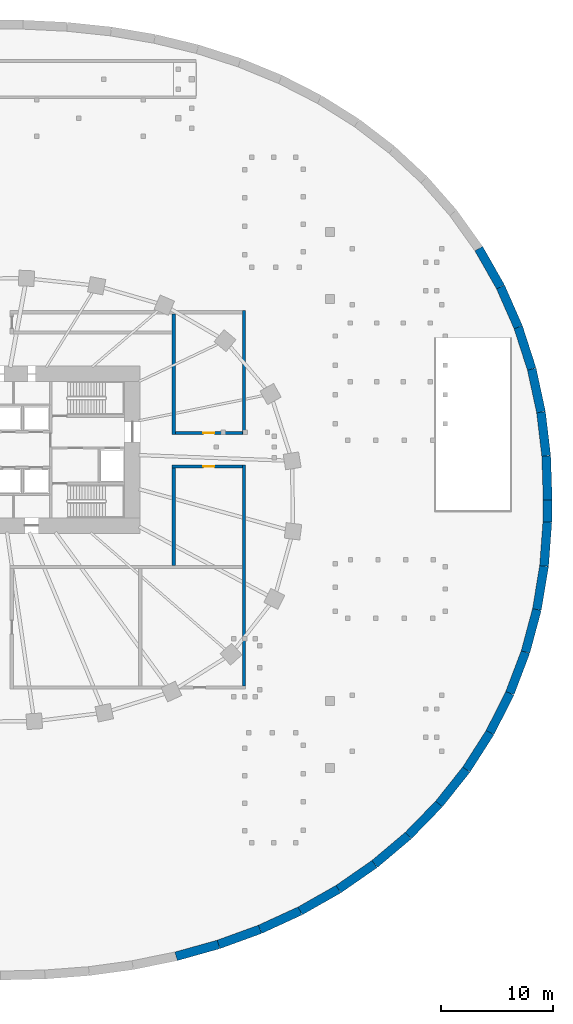
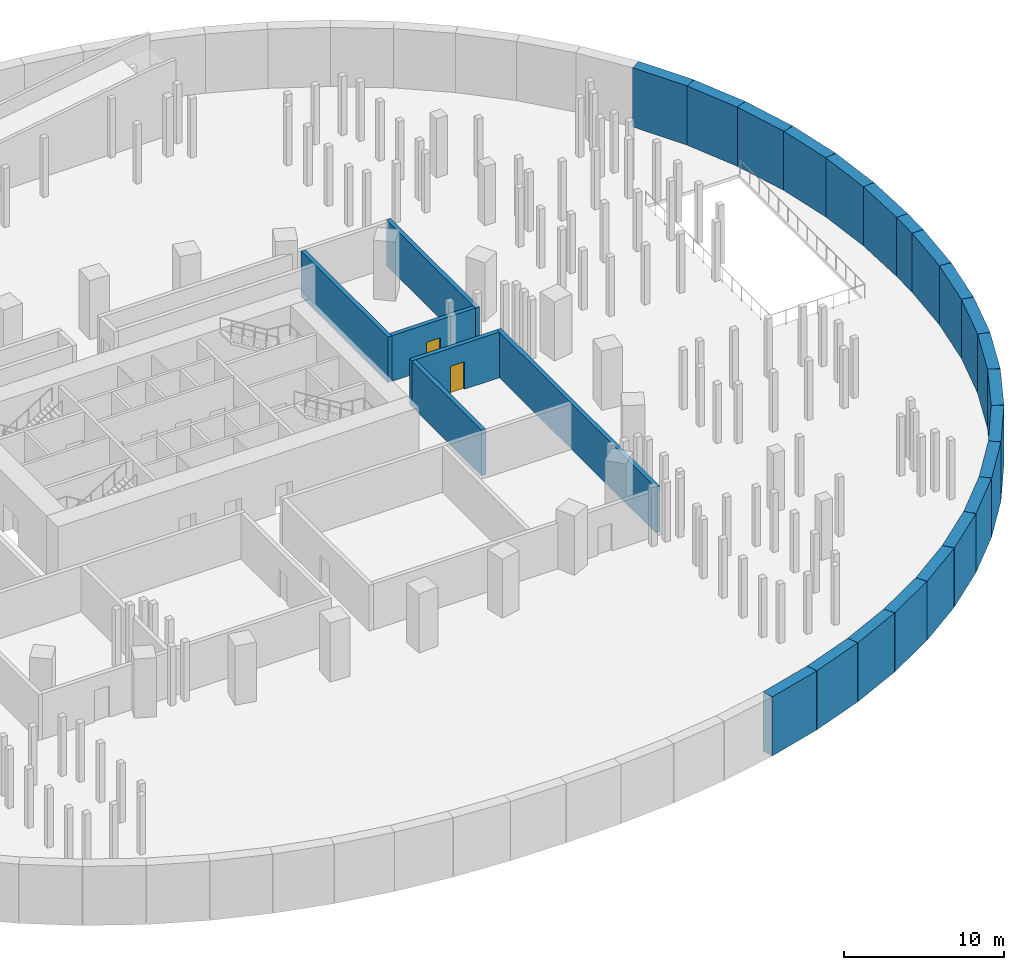
# One storey, part 6 of 9: 27 walls, 2 doors, 2 openings.
"""IFC4 building model written with IfcOpenShell, lengths in metres."""

from ifc_helpers import new_model, si_unit, direction, frame, frame_2d, origin, place, context, subcontext, project, spatial, rectangle, extrude, material, layer, layer_set, type_object, element, fill, save


model = new_model("IFC4")

# Units and contexts
model_context = context("Model", 3, precision=1e-05, world=origin(), true_north=direction((0.0, 1.0)))
body_context = subcontext(model_context, "Body", "Model", "MODEL_VIEW")
ifc_project = project(units=[si_unit("LENGTHUNIT", "METRE"), si_unit("AREAUNIT", "SQUARE_METRE"), si_unit("VOLUMEUNIT", "CUBIC_METRE"), si_unit("PLANEANGLEUNIT", "RADIAN"), si_unit("MASSUNIT", "GRAM", prefix="KILO")], contexts=[model_context])

# Site, building, storey
site_placement = place(None, origin())
site = spatial("IfcSite", under=ifc_project, at=site_placement, CompositionType="ELEMENT")
building_placement = place(site_placement, origin())
building = spatial("IfcBuilding", under=site, at=building_placement, Name="Rubra Terraces Tower", CompositionType="ELEMENT")
storey_placement = place(building_placement, frame((0.0, 0.0, -10.5)))
storey = spatial("IfcBuildingStorey", under=building, at=storey_placement, Name="B2", CompositionType="ELEMENT", Elevation=-10.5)

# Walls
ifc_material_1 = material(Name="Concrete C40", Category="concrete")
ifc_layer_1 = layer(ifc_material_1, 0.800048828125)
ifc_layer_set_1 = layer_set([ifc_layer_1], Name="Concrete C40")
wall_type_1 = type_object("IfcWallType", Name="BASEMENT WALL 800", PredefinedType="SOLIDWALL", material=ifc_layer_set_1)
wall_1_placement = place(storey_placement, frame((49.5, -0.00390625, 0.0), z_axis=(0.0, 0.0, 1.0), x_axis=(-0.01474436979, -0.999891295871, 0.0)))
element("IfcWall", 1, at=wall_1_placement, inside=storey, type_object=wall_type_1, Name="wall-B2-basement-001", PredefinedType="SOLIDWALL", context=body_context, shape_type="SweptSolid", body=[
    extrude(rectangle(XDim=1.970458984375, YDim=0.800048828125, at=frame_2d((0.9853515625, 0.0))), origin(), (0.0, 0.0, 1.0), 4.5),
])
wall_2_placement = place(storey_placement, frame((49.470947265625, -1.97412109375, 0.0), z_axis=(0.0, 0.0, 1.0), x_axis=(-0.074099136605, -0.997250880147, 0.0)))
element("IfcWall", 2, at=wall_2_placement, inside=storey, type_object=wall_type_1, Name="wall-B2-basement-002", PredefinedType="SOLIDWALL", context=body_context, shape_type="SweptSolid", body=[
    extrude(rectangle(XDim=3.953857421875, YDim=0.800048828125, at=frame_2d((1.97705078125, 0.0))), origin(), (0.0, 0.0, 1.0), 4.5),
])
wall_3_placement = place(storey_placement, frame((49.177978515625, -5.9169921875, 0.0), z_axis=(0.0, 0.0, 1.0), x_axis=(-0.163455839826, -0.986550651729, 0.0)))
element("IfcWall", 3, at=wall_3_placement, inside=storey, type_object=wall_type_1, Name="wall-B2-basement-003", PredefinedType="SOLIDWALL", context=body_context, shape_type="SweptSolid", body=[
    extrude(rectangle(XDim=3.946044921875, YDim=0.800048828125, at=frame_2d((1.97314453125, 0.0))), origin(), (0.0, 0.0, 1.0), 4.5),
])
wall_4_placement = place(storey_placement, frame((48.532958984375, -9.81005859375, 0.0), z_axis=(0.0, 0.0, 1.0), x_axis=(-0.259149694678, -0.965837168341, 0.0)))
element("IfcWall", 4, at=wall_4_placement, inside=storey, type_object=wall_type_1, Name="wall-B2-basement-004", PredefinedType="SOLIDWALL", context=body_context, shape_type="SweptSolid", body=[
    extrude(rectangle(XDim=3.943603515625, YDim=0.800048828125, at=frame_2d((1.9716796875, 0.0))), origin(), (0.0, 0.0, 1.0), 4.5),
])
wall_5_placement = place(storey_placement, frame((47.510986328125, -13.618896484375, 0.0), z_axis=(0.0, 0.0, 1.0), x_axis=(-0.355258877159, -0.93476795527, 0.0)))
element("IfcWall", 5, at=wall_5_placement, inside=storey, type_object=wall_type_1, Name="wall-B2-basement-005", PredefinedType="SOLIDWALL", context=body_context, shape_type="SweptSolid", body=[
    extrude(rectangle(XDim=3.943359375, YDim=0.800048828125, at=frame_2d((1.9716796875, 0.0))), origin(), (0.0, 0.0, 1.0), 4.5),
])
wall_6_placement = place(storey_placement, frame((46.110107421875, -17.304931640625, 0.0), z_axis=(0.0, 0.0, 1.0), x_axis=(-0.44924376219, -0.893409224339, 0.0)))
element("IfcWall", 6, at=wall_6_placement, inside=storey, type_object=wall_type_1, Name="wall-B2-basement-006", PredefinedType="SOLIDWALL", context=body_context, shape_type="SweptSolid", body=[
    extrude(rectangle(XDim=3.942138671875, YDim=0.800048828125, at=frame_2d((1.97119140625, 0.0))), origin(), (0.0, 0.0, 1.0), 4.5),
])
wall_7_placement = place(storey_placement, frame((44.339111328125, -20.826904296875, 0.0), z_axis=(0.0, 0.0, 1.0), x_axis=(-0.538906036872, -0.842365884532, 0.0)))
element("IfcWall", 7, at=wall_7_placement, inside=storey, type_object=wall_type_1, Name="wall-B2-basement-007", PredefinedType="SOLIDWALL", context=body_context, shape_type="SweptSolid", body=[
    extrude(rectangle(XDim=3.94140625, YDim=0.800048828125, at=frame_2d((1.970703125, 0.0))), origin(), (0.0, 0.0, 1.0), 4.5),
])
wall_8_placement = place(storey_placement, frame((42.215087890625, -24.14697265625, 0.0), z_axis=(0.0, 0.0, 1.0), x_axis=(-0.622154611961, -0.782894398252, 0.0)))
element("IfcWall", 8, at=wall_8_placement, inside=storey, type_object=wall_type_1, Name="wall-B2-basement-008", PredefinedType="SOLIDWALL", context=body_context, shape_type="SweptSolid", body=[
    extrude(rectangle(XDim=3.94287109375, YDim=0.800048828125, at=frame_2d((1.971435546875, 0.0))), origin(), (0.0, 0.0, 1.0), 4.5),
])
wall_9_placement = place(storey_placement, frame((39.761962890625, -27.23388671875, 0.0), z_axis=(0.0, 0.0, 1.0), x_axis=(-0.697258698396, -0.716819578074, 0.0)))
element("IfcWall", 9, at=wall_9_placement, inside=storey, type_object=wall_type_1, Name="wall-B2-basement-009", PredefinedType="SOLIDWALL", context=body_context, shape_type="SweptSolid", body=[
    extrude(rectangle(XDim=3.944091796875, YDim=0.800048828125, at=frame_2d((1.97216796875, 0.0))), origin(), (0.0, 0.0, 1.0), 4.5),
])
wall_10_placement = place(storey_placement, frame((37.011962890625, -30.06103515625, 0.0), z_axis=(0.0, 0.0, 1.0), x_axis=(-0.764050254551, -0.645156731749, 0.0)))
element("IfcWall", 10, at=wall_10_placement, inside=storey, type_object=wall_type_1, Name="wall-B2-basement-010", PredefinedType="SOLIDWALL", context=body_context, shape_type="SweptSolid", body=[
    extrude(rectangle(XDim=3.944580078125, YDim=0.800048828125, at=frame_2d((1.97216796875, 0.0))), origin(), (0.0, 0.0, 1.0), 4.5),
])
wall_11_placement = place(storey_placement, frame((33.998046875, -32.60595703125, 0.0), z_axis=(0.0, 0.0, 1.0), x_axis=(-0.821333730516, -0.570447984584, 0.0)))
element("IfcWall", 11, at=wall_11_placement, inside=storey, type_object=wall_type_1, Name="wall-B2-basement-011", PredefinedType="SOLIDWALL", context=body_context, shape_type="SweptSolid", body=[
    extrude(rectangle(XDim=3.946044921875, YDim=0.800048828125, at=frame_2d((1.97314453125, 0.0))), origin(), (0.0, 0.0, 1.0), 4.5),
])
wall_12_placement = place(storey_placement, frame((30.757080078125, -34.85693359375, 0.0), z_axis=(0.0, 0.0, 1.0), x_axis=(-0.869457764199, -0.494007283625, 0.0)))
element("IfcWall", 12, at=wall_12_placement, inside=storey, type_object=wall_type_1, Name="wall-B2-basement-012", PredefinedType="SOLIDWALL", context=body_context, shape_type="SweptSolid", body=[
    extrude(rectangle(XDim=3.94970703125, YDim=0.800048828125, at=frame_2d((1.974853515625, 0.0))), origin(), (0.0, 0.0, 1.0), 4.5),
])
wall_13_placement = place(storey_placement, frame((27.322998046875, -36.80810546875, 0.0), z_axis=(0.0, 0.0, 1.0), x_axis=(-0.908595078456, -0.417678085858, 0.0)))
element("IfcWall", 13, at=wall_13_placement, inside=storey, type_object=wall_type_1, Name="wall-B2-basement-013", PredefinedType="SOLIDWALL", context=body_context, shape_type="SweptSolid", body=[
    extrude(rectangle(XDim=3.9501953125, YDim=0.800048828125, at=frame_2d((1.97509765625, 0.0))), origin(), (0.0, 0.0, 1.0), 4.5),
])
wall_14_placement = place(storey_placement, frame((23.73388671875, -38.4580078125, 0.0), z_axis=(0.0, 0.0, 1.0), x_axis=(-0.939587666613, -0.342308364999, 0.0)))
element("IfcWall", 14, at=wall_14_placement, inside=storey, type_object=wall_type_1, Name="wall-B2-basement-014", PredefinedType="SOLIDWALL", context=body_context, shape_type="SweptSolid", body=[
    extrude(rectangle(XDim=3.95263671875, YDim=0.800048828125, at=frame_2d((1.976318359375, 0.0))), origin(), (0.0, 0.0, 1.0), 4.5),
])
wall_15_placement = place(storey_placement, frame((20.02001953125, -39.81103515625, 0.0), z_axis=(0.0, 0.0, 1.0), x_axis=(-0.962922974856, -0.26977647135, 0.0)))
element("IfcWall", 15, at=wall_15_placement, inside=storey, type_object=wall_type_1, Name="wall-B2-basement-015", PredefinedType="SOLIDWALL", context=body_context, shape_type="SweptSolid", body=[
    extrude(rectangle(XDim=3.954833984375, YDim=0.800048828125, at=frame_2d((1.9775390625, 0.0))), origin(), (0.0, 0.0, 1.0), 4.5),
])
wall_16_placement = place(storey_placement, frame((43.320068359375, 22.513916015625, 0.0), z_axis=(0.0, 0.0, 1.0), x_axis=(0.494650889592, -0.869091765825, 0.0)))
element("IfcWall", 16, at=wall_16_placement, inside=storey, type_object=wall_type_1, Name="wall-B2-basement-070", PredefinedType="SOLIDWALL", context=body_context, shape_type="SweptSolid", body=[
    extrude(rectangle(XDim=3.942138671875, YDim=0.800048828125, at=frame_2d((1.97119140625, 0.0))), origin(), (0.0, 0.0, 1.0), 4.5),
])
wall_17_placement = place(storey_placement, frame((45.27001953125, 19.087890625, 0.0), z_axis=(0.0, 0.0, 1.0), x_axis=(0.402825786485, -0.915276671691, 0.0)))
element("IfcWall", 17, at=wall_17_placement, inside=storey, type_object=wall_type_1, Name="wall-B2-basement-071", PredefinedType="SOLIDWALL", context=body_context, shape_type="SweptSolid", body=[
    extrude(rectangle(XDim=3.94189453125, YDim=0.800048828125, at=frame_2d((1.970947265625, 0.0))), origin(), (0.0, 0.0, 1.0), 4.5),
])
wall_18_placement = place(storey_placement, frame((46.85791015625, 15.47998046875, 0.0), z_axis=(0.0, 0.0, 1.0), x_axis=(0.307131205026, -0.951667180741, 0.0)))
element("IfcWall", 18, at=wall_18_placement, inside=storey, type_object=wall_type_1, Name="wall-B2-basement-072", PredefinedType="SOLIDWALL", context=body_context, shape_type="SweptSolid", body=[
    extrude(rectangle(XDim=3.943603515625, YDim=0.800048828125, at=frame_2d((1.9716796875, 0.0))), origin(), (0.0, 0.0, 1.0), 4.5),
])
wall_19_placement = place(storey_placement, frame((48.069091796875, 11.72705078125, 0.0), z_axis=(0.0, 0.0, 1.0), x_axis=(0.211211318585, -0.977440422175, 0.0)))
element("IfcWall", 19, at=wall_19_placement, inside=storey, type_object=wall_type_1, Name="wall-B2-basement-073", PredefinedType="SOLIDWALL", context=body_context, shape_type="SweptSolid", body=[
    extrude(rectangle(XDim=3.94384765625, YDim=0.800048828125, at=frame_2d((1.971923828125, 0.0))), origin(), (0.0, 0.0, 1.0), 4.5),
])
wall_20_placement = place(storey_placement, frame((48.902099609375, 7.8720703125, 0.0), z_axis=(0.0, 0.0, 1.0), x_axis=(0.117752618561, -0.99304296021, 0.0)))
element("IfcWall", 20, at=wall_20_placement, inside=storey, type_object=wall_type_1, Name="wall-B2-basement-074", PredefinedType="SOLIDWALL", context=body_context, shape_type="SweptSolid", body=[
    extrude(rectangle(XDim=3.947509765625, YDim=0.800048828125, at=frame_2d((1.9736328125, 0.0))), origin(), (0.0, 0.0, 1.0), 4.5),
])
wall_21_placement = place(storey_placement, frame((49.366943359375, 3.951904296875, 0.0), z_axis=(0.0, 0.0, 1.0), x_axis=(0.03361673547, -0.999434797821, 0.0)))
element("IfcWall", 21, at=wall_21_placement, inside=storey, type_object=wall_type_1, Name="wall-B2-basement-075", PredefinedType="SOLIDWALL", context=body_context, shape_type="SweptSolid", body=[
    extrude(rectangle(XDim=3.9580078125, YDim=0.800048828125, at=frame_2d((1.97900390625, 0.0))), origin(), (0.0, 0.0, 1.0), 4.5),
])
ifc_material_2 = material(Name="Blockwork", Category="masonry")
ifc_layer_2 = layer(ifc_material_2, 0.300048828125)
ifc_layer_set_2 = layer_set([ifc_layer_2], Name="Blockwork")
wall_type_2 = type_object("IfcWallType", Name="Plant wall 300 blockwork", PredefinedType="SOLIDWALL", material=ifc_layer_set_2)
wall_22_placement = place(storey_placement, frame((22.300048828125, -16.64990234375, 0.0), z_axis=(0.0, 0.0, 1.0), x_axis=(0.0, 1.0, 0.0)))
element("IfcWall", 22, at=wall_22_placement, inside=storey, type_object=wall_type_2, Name="Plant room wall", PredefinedType="SOLIDWALL", context=body_context, shape_type="SweptSolid", body=[
    extrude(rectangle(XDim=19.7998046875, YDim=0.300048828125, at=frame_2d((9.89990234375, 0.0))), origin(), (0.0, 0.0, 1.0), 3.47998046875),
])

# Wall, opening, door
wall_23_placement = place(storey_placement, frame((22.14990234375, 3.0, 0.0), z_axis=(0.0, 0.0, 1.0), x_axis=(-1.0, 0.0, 0.0)))
wall_23 = element("IfcWall", 23, at=wall_23_placement, inside=storey, type_object=wall_type_2, Name="Plant room wall", PredefinedType="SOLIDWALL", context=body_context, shape_type="SweptSolid", body=[
    extrude(rectangle(XDim=6.2998046875, YDim=0.300048828125, at=frame_2d((3.14990234375, 0.0))), origin(), (0.0, 0.0, 1.0), 3.47998046875),
])
opening_1_placement = place(wall_23_placement, frame((2.5, 0.0, 0.0)))
opening_1 = element("IfcOpeningElement", 24, at=opening_1_placement, cuts=wall_23, Name="Opening DB1", PredefinedType="OPENING", context=body_context, shape_type="SweptSolid", body=[
    extrude(rectangle(XDim=1.0, YDim=2.10009765625, at=frame_2d((0.5, 1.050048828125))), frame((0.0, 0.159912109375, 0.0), z_axis=(0.0, -1.0, 0.0), x_axis=(1.0, 0.0, 0.0)), (0.0, 0.0, 1.0), 0.320068359375),
])
ifc_material_3 = material(Name="Painted timber", Category="wood")
door_type = type_object("IfcDoorType", Name="Door 1000x2100 single", OperationType="NOTDEFINED", PredefinedType="DOOR", material=ifc_material_3)
door_1_placement = place(opening_1_placement, origin())
door_1 = element("IfcDoor", 25, at=door_1_placement, inside=storey, type_object=door_type, Name="Plant room door B2-07", OperationType="SINGLE_SWING_LEFT", OverallHeight=2.10009765625, OverallWidth=1.0, PredefinedType="DOOR", context=body_context, shape_type="SweptSolid", body=[
    extrude(rectangle(XDim=1.0, YDim=2.10009765625, at=frame_2d((0.5, 1.050048828125))), frame((0.0, 0.02490234375, 0.0), z_axis=(0.0, -1.0, 0.0), x_axis=(1.0, 0.0, 0.0)), (0.0, 0.0, 1.0), 0.050048828125),
])
fill(opening_1, door_1)

# Walls
wall_24_placement = place(storey_placement, frame((16.0, 2.85009765625, 0.0), z_axis=(0.0, 0.0, 1.0), x_axis=(0.0, -1.0, 0.0)))
element("IfcWall", 26, at=wall_24_placement, inside=storey, type_object=wall_type_2, Name="Plant room wall", PredefinedType="SOLIDWALL", context=body_context, shape_type="SweptSolid", body=[
    extrude(rectangle(XDim=8.7001953125, YDim=0.300048828125, at=frame_2d((4.35009765625, 0.0))), origin(), (0.0, 0.0, 1.0), 3.47998046875),
])
wall_25_placement = place(storey_placement, frame((22.300048828125, 5.85009765625, 0.0), z_axis=(0.0, 0.0, 1.0), x_axis=(0.0, 1.0, 0.0)))
element("IfcWall", 27, at=wall_25_placement, inside=storey, type_object=wall_type_2, Name="Plant room wall", PredefinedType="SOLIDWALL", context=body_context, shape_type="SweptSolid", body=[
    extrude(rectangle(XDim=11.099853515625, YDim=0.300048828125, at=frame_2d((5.5498046875, 0.0))), origin(), (0.0, 0.0, 1.0), 3.47998046875),
])
wall_26_placement = place(storey_placement, frame((16.0, 16.64990234375, 0.0), z_axis=(0.0, 0.0, 1.0), x_axis=(0.0, -1.0, 0.0)))
element("IfcWall", 28, at=wall_26_placement, inside=storey, type_object=wall_type_2, Name="Plant room wall", PredefinedType="SOLIDWALL", context=body_context, shape_type="SweptSolid", body=[
    extrude(rectangle(XDim=10.7998046875, YDim=0.300048828125, at=frame_2d((5.39990234375, 0.0))), origin(), (0.0, 0.0, 1.0), 3.47998046875),
])

# Wall, opening, door
wall_27_placement = place(storey_placement, frame((16.14990234375, 6.0, 0.0), z_axis=(0.0, 0.0, 1.0), x_axis=(1.0, 0.0, 0.0)))
wall_27 = element("IfcWall", 29, at=wall_27_placement, inside=storey, type_object=wall_type_2, Name="Plant room wall", PredefinedType="SOLIDWALL", context=body_context, shape_type="SweptSolid", body=[
    extrude(rectangle(XDim=6.0, YDim=0.300048828125, at=frame_2d((3.0, 0.0))), origin(), (0.0, 0.0, 1.0), 3.47998046875),
])
opening_2_placement = place(wall_27_placement, frame((2.5, 0.0, 0.0)))
opening_2 = element("IfcOpeningElement", 30, at=opening_2_placement, cuts=wall_27, Name="Opening DB1", PredefinedType="OPENING", context=body_context, shape_type="SweptSolid", body=[
    extrude(rectangle(XDim=1.0, YDim=2.10009765625, at=frame_2d((0.5, 1.050048828125))), frame((0.0, 0.159912109375, 0.0), z_axis=(0.0, -1.0, 0.0), x_axis=(1.0, 0.0, 0.0)), (0.0, 0.0, 1.0), 0.320068359375),
])
door_2_placement = place(opening_2_placement, origin())
door_2 = element("IfcDoor", 31, at=door_2_placement, inside=storey, type_object=door_type, Name="Plant room door B2-08", OperationType="SINGLE_SWING_LEFT", OverallHeight=2.10009765625, OverallWidth=1.0, PredefinedType="DOOR", context=body_context, shape_type="SweptSolid", body=[
    extrude(rectangle(XDim=1.0, YDim=2.10009765625, at=frame_2d((0.5, 1.050048828125))), frame((0.0, 0.02490234375, 0.0), z_axis=(0.0, -1.0, 0.0), x_axis=(1.0, 0.0, 0.0)), (0.0, 0.0, 1.0), 0.050048828125),
])
fill(opening_2, door_2)

save(model, "model.ifc")
